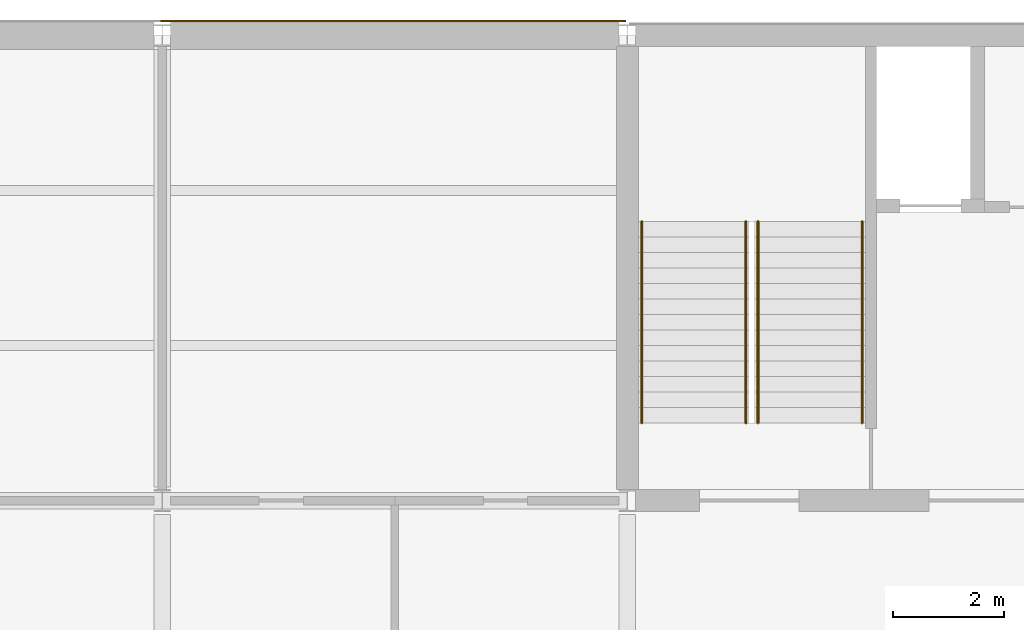
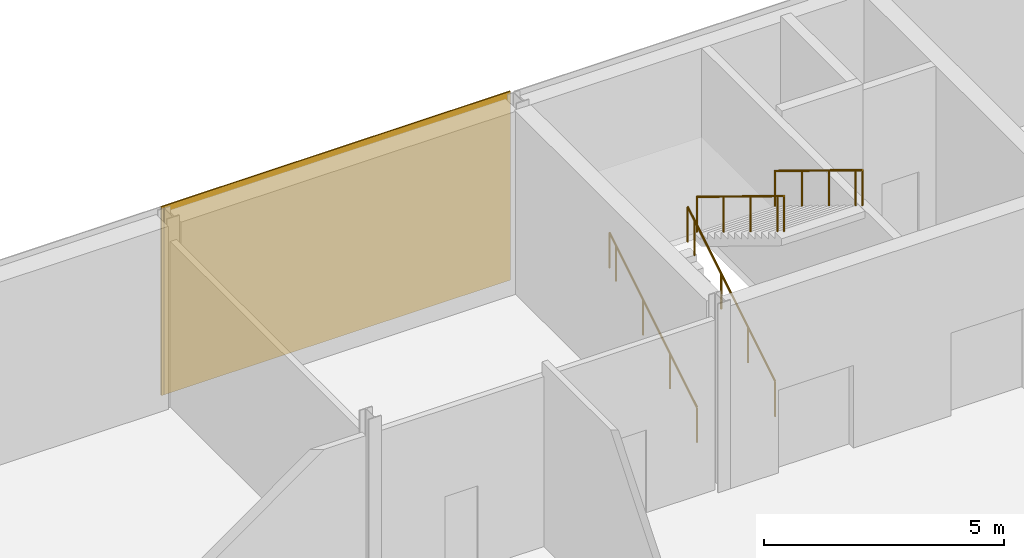
# One storey, part 41 of 52: 4 railings, 2 coverings.
"""IFC4 building model written with IfcOpenShell, lengths in metres."""

from ifc_helpers import new_model, si_unit, direction, frame, origin, origin_2d, place, context, subcontext, project, spatial, rectangle, circle, extrude, material, layer, layer_set, type_object, element, save


model = new_model("IFC4")

# Units and contexts
model_context = context("Model", 3, precision=1e-05, world=origin(), true_north=direction((0.0, 1.0)))
body_context = subcontext(model_context, "Body", "Model", "MODEL_VIEW")
ifc_project = project(units=[si_unit("LENGTHUNIT", "METRE"), si_unit("AREAUNIT", "SQUARE_METRE"), si_unit("VOLUMEUNIT", "CUBIC_METRE"), si_unit("PLANEANGLEUNIT", "RADIAN"), si_unit("MASSUNIT", "GRAM", prefix="KILO")], contexts=[model_context])

# Site, building, storey
site_placement = place(None, origin())
site = spatial("IfcSite", under=ifc_project, at=site_placement, CompositionType="ELEMENT")
building_placement = place(site_placement, origin())
building = spatial("IfcBuilding", under=site, at=building_placement, Name="Galleria Vessillo Department Store", CompositionType="ELEMENT")
storey_placement = place(building_placement, frame((0.0, 0.0, 16.199951171875)))
storey = spatial("IfcBuildingStorey", under=building, at=storey_placement, Name="L03", CompositionType="ELEMENT", Elevation=16.199951171875)

# Coverings
ifc_material_1 = material(Name="Lime plaster (intonaco) ochre")
ifc_layer = layer(ifc_material_1, 0.030029296875)
ifc_layer_set = layer_set([ifc_layer], Name="Lime plaster (intonaco) ochre")
covering_type = type_object("IfcCoveringType", Name="Lime plaster render 30 mm", PredefinedType="CLADDING", material=ifc_layer_set)
covering_1_placement = place(storey_placement, frame((29.39990234375, 63.264892578125, 0.0), z_axis=(0.0, 0.0, 1.0), x_axis=(1.0, 0.0, 0.0)))
element("IfcCovering", 1, at=covering_1_placement, inside=storey, type_object=covering_type, Name="Wall cladding S-PN-L03-03", PredefinedType="CLADDING", context=body_context, shape_type="SweptSolid", body=[
    extrude(rectangle(XDim=8.34033203125, YDim=0.030029296875, at=origin_2d()), origin(), (0.0, 0.0, 1.0), 4.800048828125),
])
covering_2_placement = place(storey_placement, frame((25.199951171875, 63.264892578125, 0.0), z_axis=(0.0, 0.0, 1.0), x_axis=(1.0, 0.0, 0.0)))
element("IfcCovering", 2, at=covering_2_placement, inside=storey, type_object=covering_type, Name="Joint block Wall cladding S-PN-L03-02", PredefinedType="CLADDING", context=body_context, shape_type="SweptSolid", body=[
    extrude(rectangle(XDim=0.059814453125, YDim=0.030029296875, at=origin_2d()), origin(), (0.0, 0.0, 1.0), 4.800048828125),
])

# Railings
ifc_material_2 = material(Name="Stainless steel tube", Category="steel")
railing_type = type_object("IfcRailingType", Name="Stair handrail steel tube 48 mm", PredefinedType="HANDRAIL", material=ifc_material_2)
for number, where, name in (
    (3, (33.860107421875, 56.0, 0.17138671875), "Handrail ST4 L03 flight 1A"),
    (4, (35.739990234375, 56.0, 0.17138671875), "Handrail ST4 L03 flight 1B"),
):
    element("IfcRailing", number, at=place(storey_placement, frame(where)), inside=storey, type_object=railing_type, Name=name, PredefinedType="HANDRAIL", context=body_context, shape_type="SweptSolid", body=[
        extrude(circle(Radius=0.02392578125, at=origin_2d()), frame((0.0, 0.0, 0.89599609375), z_axis=(0.0, 0.852849614702, 0.52215661894), x_axis=(-1.0, 0.0, 0.0)), (0.0, 0.0, 1.0), 1.3134765625),
        extrude(circle(Radius=0.02392578125, at=origin_2d()), frame((0.0, 1.1201171875, 1.58154296875), z_axis=(0.0, 0.852798921012, 0.522239409008), x_axis=(-1.0, 0.0, 0.0)), (0.0, 0.0, 1.0), 1.313232421875),
        extrude(circle(Radius=0.02392578125, at=origin_2d()), frame((0.0, 2.239990234375, 2.267578125), z_axis=(0.0, 0.852932391421, 0.522021393877), x_axis=(-1.0, 0.0, 0.0)), (0.0, 0.0, 1.0), 1.313232421875),
        extrude(circle(Radius=0.02392578125, at=origin_2d()), frame((0.0, 3.360107421875, 2.953125), z_axis=(0.0, 0.852729557261, 0.522352660731), x_axis=(-1.0, 0.0, 0.0)), (0.0, 0.0, 1.0), 0.328125),
        extrude(circle(Radius=0.02099609375, at=origin_2d()), origin(), (0.0, 0.0, 1.0), 0.871826171875),
        extrude(circle(Radius=0.02099609375, at=origin_2d()), frame((0.0, 1.1201171875, 0.685791015625)), (0.0, 0.0, 1.0), 0.871826171875),
        extrude(circle(Radius=0.02099609375, at=origin_2d()), frame((0.0, 2.239990234375, 1.37158203125)), (0.0, 0.0, 1.0), 0.871826171875),
        extrude(circle(Radius=0.02099609375, at=origin_2d()), frame((0.0, 3.360107421875, 2.05712890625)), (0.0, 0.0, 1.0), 0.871826171875),
        extrude(circle(Radius=0.02099609375, at=origin_2d()), frame((0.0, 3.639892578125, 2.228515625)), (0.0, 0.0, 1.0), 0.871826171875),
    ])
for number, where, name in (
    (5, (37.83984375, 59.639892578125, 2.571533203125), "Handrail ST4 L03 flight 2A"),
    (6, (35.9599609375, 59.639892578125, 2.571533203125), "Handrail ST4 L03 flight 2B"),
):
    element("IfcRailing", number, at=place(storey_placement, frame(where)), inside=storey, type_object=railing_type, Name=name, PredefinedType="HANDRAIL", context=body_context, shape_type="SweptSolid", body=[
        extrude(circle(Radius=0.02392578125, at=origin_2d()), frame((0.0, 0.0, 0.89599609375), z_axis=(0.0, -0.852849614702, 0.52215661894), x_axis=(1.0, 0.0, 0.0)), (0.0, 0.0, 1.0), 1.3134765625),
        extrude(circle(Radius=0.02392578125, at=origin_2d()), frame((0.0, -1.1201171875, 1.58154296875), z_axis=(0.0, -0.852798921012, 0.522239409008), x_axis=(1.0, 0.0, 0.0)), (0.0, 0.0, 1.0), 1.313232421875),
        extrude(circle(Radius=0.02392578125, at=origin_2d()), frame((0.0, -2.239990234375, 2.267578125), z_axis=(0.0, -0.852932391421, 0.522021393877), x_axis=(1.0, 0.0, 0.0)), (0.0, 0.0, 1.0), 1.313232421875),
        extrude(circle(Radius=0.02392578125, at=origin_2d()), frame((0.0, -3.360107421875, 2.953125), z_axis=(0.0, -0.852729557261, 0.522352660731), x_axis=(1.0, 0.0, 0.0)), (0.0, 0.0, 1.0), 0.328125),
        extrude(circle(Radius=0.02099609375, at=origin_2d()), origin(), (0.0, 0.0, 1.0), 0.871826171875),
        extrude(circle(Radius=0.02099609375, at=origin_2d()), frame((0.0, -1.1201171875, 0.685791015625)), (0.0, 0.0, 1.0), 0.871826171875),
        extrude(circle(Radius=0.02099609375, at=origin_2d()), frame((0.0, -2.239990234375, 1.37158203125)), (0.0, 0.0, 1.0), 0.871826171875),
        extrude(circle(Radius=0.02099609375, at=origin_2d()), frame((0.0, -3.360107421875, 2.05712890625)), (0.0, 0.0, 1.0), 0.871826171875),
        extrude(circle(Radius=0.02099609375, at=origin_2d()), frame((0.0, -3.639892578125, 2.228515625)), (0.0, 0.0, 1.0), 0.871826171875),
    ])

save(model, "model.ifc")
